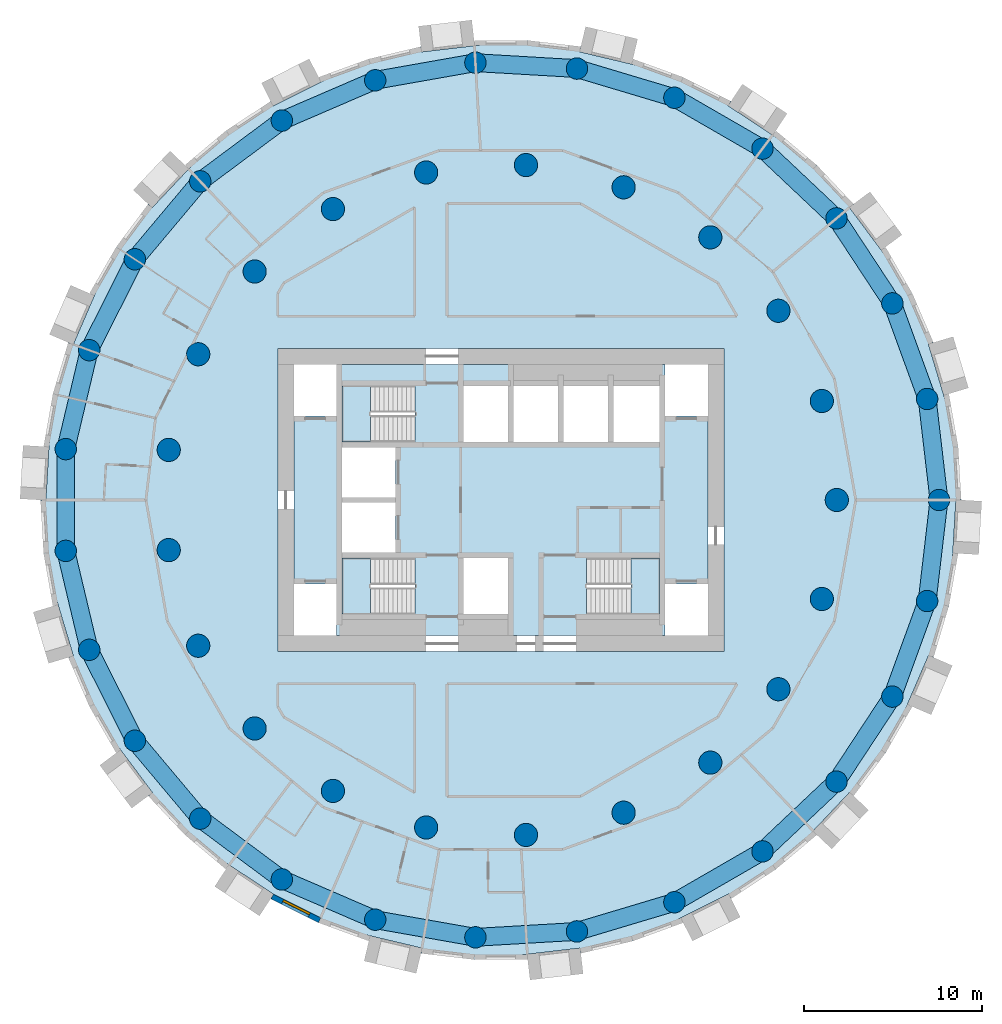
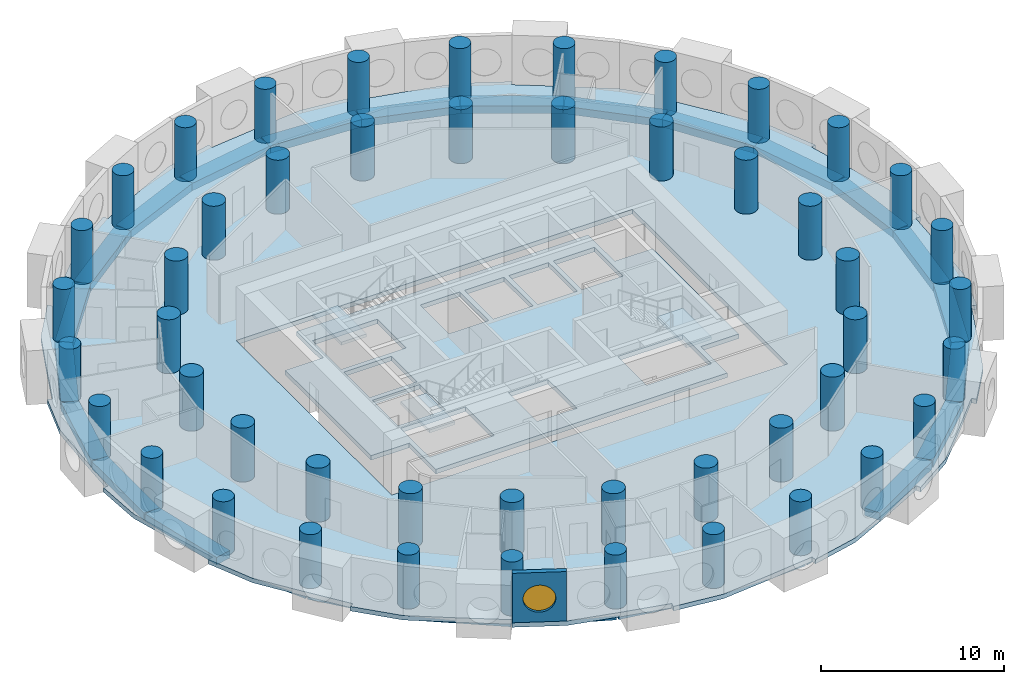
# One storey, part 1 of 9: 48 columns, 27 beams, 5 slabs, 1 wall, 1 window, 1 opening, 3 elements without a shape of their own.
"""IFC4 building model written with IfcOpenShell, lengths in metres."""

from ifc_helpers import new_model, si_unit, direction, frame, frame_2d, origin, origin_2d, place, context, subcontext, project, spatial, polyline, rectangle, circle, outline, extrude, material, layer, layer_set, material_profile, profile_set, type_object, element, fill, aggregate, save


model = new_model("IFC4")

# Units and contexts
model_context = context("Model", 3, precision=1e-05, world=origin(), true_north=direction((0.0, 1.0)))
body_context = subcontext(model_context, "Body", "Model", "MODEL_VIEW")
ifc_project = project(units=[si_unit("LENGTHUNIT", "METRE"), si_unit("AREAUNIT", "SQUARE_METRE"), si_unit("VOLUMEUNIT", "CUBIC_METRE"), si_unit("PLANEANGLEUNIT", "RADIAN"), si_unit("MASSUNIT", "GRAM", prefix="KILO")], contexts=[model_context])

# Site, building, storey
site_placement = place(None, origin())
site = spatial("IfcSite", under=ifc_project, at=site_placement, CompositionType="ELEMENT")
building_placement = place(site_placement, origin())
building = spatial("IfcBuilding", under=site, at=building_placement, Name="Tracery Tower", CompositionType="ELEMENT")
storey_placement = place(building_placement, frame((0.0, 0.0, 187.199951171875)))
storey = spatial("IfcBuildingStorey", under=building, at=storey_placement, Name="L48", CompositionType="ELEMENT", Elevation=187.199951171875)

# Columns
ifc_material_1 = material(Name="Concrete C50/60", Category="concrete")
ifc_material_profile_1 = material_profile(ifc_material_1, circle(Radius=0.60009765625, at=origin_2d()), Name="RC D1200")
ifc_profile_set_1 = profile_set([ifc_material_profile_1], Name="Concrete C50/60")
column_type_1 = type_object("IfcColumnType", Name="Ring 1 column 1200", PredefinedType="COLUMN", material=ifc_profile_set_1)
for number, where, z_axis, x_axis, name in (
    (1, (24.547607421875, 0.0, 0.0), (0.0, 0.0, 1.0), (1.0, 0.0, 0.0), "Ring 1 column 00 at L48"),
    (2, (23.885986328125, 5.6611328125, 0.0), (0.0, 0.0, 1.0), (1.0, 0.0, 0.0), "Ring 1 column 01 at L48"),
    (3, (21.9365234375, 11.01708984375, 0.0), (0.0, 0.0, 1.0), (1.0, 0.0, 0.0), "Ring 1 column 02 at L48"),
    (4, (18.8046875, 15.779052734375, 0.0), (0.0, 0.0, 1.0), (1.0, 0.0, 0.0), "Ring 1 column 03 at L48"),
    (5, (14.658935546875, 19.690185546875, 0.0), (0.0, 0.0, 1.0), (1.0, 0.0, 0.0), "Ring 1 column 04 at L48"),
    (6, (9.722900390625, 22.5400390625, 0.0), (0.0, 0.0, 1.0), (1.0, 0.0, 0.0), "Ring 1 column 05 at L48"),
    (7, (4.2626953125, 24.1748046875, 0.0), (0.0, 0.0, 1.0), (1.0, 0.0, 0.0), "Ring 1 column 06 at L48"),
    (8, (-1.42724609375, 24.506103515625, 0.0), (0.0, 0.0, 1.0), (1.0, 0.0, 0.0), "Ring 1 column 07 at L48"),
    (9, (-7.040283203125, 23.516357421875, 0.0), (0.0, 0.0, 1.0), (1.0, 0.0, 0.0), "Ring 1 column 08 at L48"),
    (10, (-12.273681640625, 21.2587890625, 0.0), (0.0, 0.0, 1.0), (1.0, 0.0, 0.0), "Ring 1 column 09 at L48"),
    (11, (-16.845703125, 17.855224609375, 0.0), (0.0, 0.0, 1.0), (1.0, 0.0, 0.0), "Ring 1 column 10 at L48"),
    (12, (-20.50927734375, 13.4892578125, 0.0), (0.0, 0.0, 1.0), (1.0, 0.0, 0.0), "Ring 1 column 11 at L48"),
    (13, (-23.0673828125, 8.395751953125, 0.0), (0.0, 0.0, 1.0), (1.0, 0.0, 0.0), "Ring 1 column 12 at L48"),
    (14, (-24.381591796875, 2.849853515625, 0.0), (0.0, 0.0, 1.0), (1.0, 0.0, 0.0), "Ring 1 column 13 at L48"),
    (15, (-24.381591796875, -2.849853515625, 0.0), (0.0, 0.0, 1.0), (1.0, 0.0, 0.0), "Ring 1 column 14 at L48"),
    (16, (-23.0673828125, -8.395751953125, 0.0), (0.0, 0.0, 1.0), (1.0, 0.0, 0.0), "Ring 1 column 15 at L48"),
    (17, (-20.50927734375, -13.4892578125, 0.0), (0.0, 0.0, 1.0), (1.0, 0.0, 0.0), "Ring 1 column 16 at L48"),
    (18, (-16.845703125, -17.85546875, 0.0), (0.0, 0.0, 1.0), (1.0, 0.0, 0.0), "Ring 1 column 17 at L48"),
    (19, (-12.27392578125, -21.2587890625, 0.0), (0.0, 0.0, 1.0), (1.0, 0.0, 0.0), "Ring 1 column 18 at L48"),
    (20, (-7.040283203125, -23.516357421875, 0.0), (0.0, 0.0, 1.0), (1.0, 0.0, 0.0), "Ring 1 column 19 at L48"),
    (21, (-1.42724609375, -24.506103515625, 0.0), (0.0, 0.0, 1.0), (1.0, 0.0, 0.0), "Ring 1 column 20 at L48"),
    (22, (4.2626953125, -24.1748046875, 0.0), (0.0, 0.0, 1.0), (1.0, 0.0, 0.0), "Ring 1 column 21 at L48"),
    (23, (9.722900390625, -22.5400390625, 0.0), (0.0, 0.0, 1.0), (1.0, 0.0, 0.0), "Ring 1 column 22 at L48"),
    (24, (14.658935546875, -19.690185546875, 0.0), (0.0, 0.0, 1.0), (1.0, 0.0, 0.0), "Ring 1 column 23 at L48"),
    (25, (18.8046875, -15.779052734375, 0.0), (0.0, 0.0, 1.0), (1.0, 0.0, 0.0), "Ring 1 column 24 at L48"),
    (26, (21.9365234375, -11.01708984375, 0.0), (0.0, 0.0, 1.0), (1.0, 0.0, 0.0), "Ring 1 column 25 at L48"),
    (27, (23.885986328125, -5.6611328125, 0.0), (0.0, 0.0, 1.0), (1.0, 0.0, 0.0), "Ring 1 column 26 at L48"),
):
    element("IfcColumn", number, at=place(storey_placement, frame(where, z_axis=z_axis, x_axis=x_axis)), inside=storey, type_object=column_type_1, Name=name, PredefinedType="COLUMN", context=body_context, shape_type="SweptSolid", body=[
        extrude(circle(Radius=0.60009765625, at=origin_2d()), origin(), (0.0, 0.0, 1.0), 3.60009765625),
    ])
ifc_material_2 = material(Name="Concrete C50/60", Category="concrete")
ifc_material_profile_2 = material_profile(ifc_material_2, circle(Radius=0.64990234375, at=origin_2d()), Name="RC D1300")
ifc_profile_set_2 = profile_set([ifc_material_profile_2], Name="Concrete C50/60")
column_type_2 = type_object("IfcColumnType", Name="Ring 2 column 1300", PredefinedType="COLUMN", material=ifc_profile_set_2)
for number, where, z_axis, x_axis, name in (
    (28, (18.822265625, 0.0, 0.0), (0.0, 0.0, 1.0), (1.0, 0.0, 0.0), "Ring 2 column 00 at L48"),
    (29, (17.986083984375, 5.5478515625, 0.0), (0.0, 0.0, 1.0), (1.0, 0.0, 0.0), "Ring 2 column 01 at L48"),
    (30, (15.551513671875, 10.602783203125, 0.0), (0.0, 0.0, 1.0), (1.0, 0.0, 0.0), "Ring 2 column 02 at L48"),
    (31, (11.7353515625, 14.7158203125, 0.0), (0.0, 0.0, 1.0), (1.0, 0.0, 0.0), "Ring 2 column 03 at L48"),
    (32, (6.87646484375, 17.52099609375, 0.0), (0.0, 0.0, 1.0), (1.0, 0.0, 0.0), "Ring 2 column 04 at L48"),
    (33, (1.406494140625, 18.76953125, 0.0), (0.0, 0.0, 1.0), (1.0, 0.0, 0.0), "Ring 2 column 05 at L48"),
    (34, (-4.188232421875, 18.350341796875, 0.0), (0.0, 0.0, 1.0), (1.0, 0.0, 0.0), "Ring 2 column 06 at L48"),
    (35, (-9.4111328125, 16.300537109375, 0.0), (0.0, 0.0, 1.0), (1.0, 0.0, 0.0), "Ring 2 column 07 at L48"),
    (36, (-13.797607421875, 12.802490234375, 0.0), (0.0, 0.0, 1.0), (1.0, 0.0, 0.0), "Ring 2 column 08 at L48"),
    (37, (-16.958251953125, 8.16650390625, 0.0), (0.0, 0.0, 1.0), (1.0, 0.0, 0.0), "Ring 2 column 09 at L48"),
    (38, (-18.612060546875, 2.805419921875, 0.0), (0.0, 0.0, 1.0), (1.0, 0.0, 0.0), "Ring 2 column 10 at L48"),
    (39, (-18.612060546875, -2.805419921875, 0.0), (0.0, 0.0, 1.0), (1.0, 0.0, 0.0), "Ring 2 column 11 at L48"),
    (40, (-16.958251953125, -8.166748046875, 0.0), (0.0, 0.0, 1.0), (1.0, 0.0, 0.0), "Ring 2 column 12 at L48"),
    (41, (-13.797607421875, -12.80224609375, 0.0), (0.0, 0.0, 1.0), (1.0, 0.0, 0.0), "Ring 2 column 13 at L48"),
    (42, (-9.4111328125, -16.300537109375, 0.0), (0.0, 0.0, 1.0), (1.0, 0.0, 0.0), "Ring 2 column 14 at L48"),
    (43, (-4.188232421875, -18.350341796875, 0.0), (0.0, 0.0, 1.0), (1.0, 0.0, 0.0), "Ring 2 column 15 at L48"),
    (44, (1.406494140625, -18.76953125, 0.0), (0.0, 0.0, 1.0), (1.0, 0.0, 0.0), "Ring 2 column 16 at L48"),
    (45, (6.87646484375, -17.52099609375, 0.0), (0.0, 0.0, 1.0), (1.0, 0.0, 0.0), "Ring 2 column 17 at L48"),
    (46, (11.7353515625, -14.7158203125, 0.0), (0.0, 0.0, 1.0), (1.0, 0.0, 0.0), "Ring 2 column 18 at L48"),
    (47, (15.551513671875, -10.602783203125, 0.0), (0.0, 0.0, 1.0), (1.0, 0.0, 0.0), "Ring 2 column 19 at L48"),
    (48, (17.986083984375, -5.5478515625, 0.0), (0.0, 0.0, 1.0), (1.0, 0.0, 0.0), "Ring 2 column 20 at L48"),
):
    element("IfcColumn", number, at=place(storey_placement, frame(where, z_axis=z_axis, x_axis=x_axis)), inside=storey, type_object=column_type_2, Name=name, PredefinedType="COLUMN", context=body_context, shape_type="SweptSolid", body=[
        extrude(circle(Radius=0.64990234375, at=origin_2d()), origin(), (0.0, 0.0, 1.0), 3.60009765625),
    ])

# Beams
ifc_material_3 = material(Name="Concrete C50/60", Category="concrete")
ifc_material_profile_3 = material_profile(ifc_material_3, rectangle(XDim=1.0, YDim=0.5, at=origin_2d()), Name="RC 1000x500")
ifc_profile_set_3 = profile_set([ifc_material_profile_3], Name="Concrete C50/60")
beam_type = type_object("IfcBeamType", Name="Perimeter band beam 1000x500", PredefinedType="BEAM", material=ifc_profile_set_3)
for number, where, z_axis, x_axis, name in (
    (49, (24.547607421875, 0.0, -0.550048828125), (-0.116080723252, 0.993239782575, 0.0), (-0.993239782575, -0.116080723252, 0.0), "Perimeter beam 1.00 under L48"),
    (50, (23.885986328125, 5.6611328125, -0.550048828125), (-0.342028502279, 0.939689578334, 0.0), (-0.939689578334, -0.342028502279, 0.0), "Perimeter beam 1.01 under L48"),
):
    element("IfcBeam", number, at=place(storey_placement, frame(where, z_axis=z_axis, x_axis=x_axis)), inside=storey, type_object=beam_type, Name=name, PredefinedType="BEAM", context=body_context, shape_type="SweptSolid", body=[
        extrude(rectangle(XDim=1.0, YDim=0.5, at=origin_2d()), origin(), (0.0, 0.0, 1.0), 5.69970703125),
    ])
for number, where, z_axis, x_axis, name in (
    (51, (21.9365234375, 11.01708984375, -0.550048828125), (-0.549489832182, 0.835500403548, 0.0), (-0.835500403548, -0.549489832182, 0.0), "Perimeter beam 1.02 under L48"),
    (52, (18.8046875, 15.779052734375, -0.550048828125), (-0.727389618263, 0.686224703172, 0.0), (-0.686224703172, -0.727389618263, 0.0), "Perimeter beam 1.03 under L48"),
):
    element("IfcBeam", number, at=place(storey_placement, frame(where, z_axis=z_axis, x_axis=x_axis)), inside=storey, type_object=beam_type, Name=name, PredefinedType="BEAM", context=body_context, shape_type="SweptSolid", body=[
        extrude(rectangle(XDim=1.0, YDim=0.5, at=origin_2d()), origin(), (0.0, 0.0, 1.0), 5.699462890625),
    ])
for number, where, z_axis, x_axis, name in (
    (53, (14.658935546875, 19.690185546875, -0.550048828125), (-0.866022950691, 0.500004248858, 0.0), (-0.500004248858, -0.866022950691, 0.0), "Perimeter beam 1.04 under L48"),
    (54, (9.722900390625, 22.5400390625, -0.550048828125), (-0.957985292634, 0.28681732705, 0.0), (-0.28681732705, -0.957985292634, 0.0), "Perimeter beam 1.05 under L48"),
):
    element("IfcBeam", number, at=place(storey_placement, frame(where, z_axis=z_axis, x_axis=x_axis)), inside=storey, type_object=beam_type, Name=name, PredefinedType="BEAM", context=body_context, shape_type="SweptSolid", body=[
        extrude(rectangle(XDim=1.0, YDim=0.5, at=origin_2d()), origin(), (0.0, 0.0, 1.0), 5.69970703125),
    ])
beam_1_placement = place(storey_placement, frame((4.2626953125, 24.1748046875, -0.550048828125), z_axis=(-0.99830920221, 0.058126902403, 0.0), x_axis=(-0.058126902403, -0.99830920221, 0.0)))
element("IfcBeam", 55, at=beam_1_placement, inside=storey, type_object=beam_type, Name="Perimeter beam 1.06 under L48", PredefinedType="BEAM", context=body_context, shape_type="SweptSolid", body=[
    extrude(rectangle(XDim=1.0, YDim=0.5, at=origin_2d()), origin(), (0.0, 0.0, 1.0), 5.699462890625),
])
beam_2_placement = place(storey_placement, frame((-1.42724609375, 24.506103515625, -0.550048828125), z_axis=(-0.984807266719, -0.173650935552, 0.0), x_axis=(0.173650935552, -0.984807266719, 0.0)))
element("IfcBeam", 56, at=beam_2_placement, inside=storey, type_object=beam_type, Name="Perimeter beam 1.07 under L48", PredefinedType="BEAM", context=body_context, shape_type="SweptSolid", body=[
    extrude(rectangle(XDim=1.0, YDim=0.5, at=origin_2d()), origin(), (0.0, 0.0, 1.0), 5.69970703125),
])
beam_3_placement = place(storey_placement, frame((-7.040283203125, 23.516357421875, -0.550048828125), z_axis=(-0.918209685525, -0.396094652083, 0.0), x_axis=(0.396094652083, -0.918209685525, 0.0)))
element("IfcBeam", 57, at=beam_3_placement, inside=storey, type_object=beam_type, Name="Perimeter beam 1.08 under L48", PredefinedType="BEAM", context=body_context, shape_type="SweptSolid", body=[
    extrude(rectangle(XDim=1.0, YDim=0.5, at=origin_2d()), origin(), (0.0, 0.0, 1.0), 5.699462890625),
])
beam_4_placement = place(storey_placement, frame((-12.273681640625, 21.2587890625, -0.550048828125), z_axis=(-0.802138271299, -0.59713833717, 0.0), x_axis=(0.59713833717, -0.802138271299, 0.0)))
element("IfcBeam", 58, at=beam_4_placement, inside=storey, type_object=beam_type, Name="Perimeter beam 1.09 under L48", PredefinedType="BEAM", context=body_context, shape_type="SweptSolid", body=[
    extrude(rectangle(XDim=1.0, YDim=0.5, at=origin_2d()), origin(), (0.0, 0.0, 1.0), 5.69970703125),
])
beam_5_placement = place(storey_placement, frame((-16.845703125, 17.855224609375, -0.550048828125), z_axis=(-0.642797194343, -0.766036400535, 0.0), x_axis=(0.766036400535, -0.642797194343, 0.0)))
element("IfcBeam", 59, at=beam_5_placement, inside=storey, type_object=beam_type, Name="Perimeter beam 1.10 under L48", PredefinedType="BEAM", context=body_context, shape_type="SweptSolid", body=[
    extrude(rectangle(XDim=1.0, YDim=0.5, at=origin_2d()), origin(), (0.0, 0.0, 1.0), 5.699462890625),
])
beam_6_placement = place(storey_placement, frame((-20.50927734375, 13.4892578125, -0.550048828125), z_axis=(-0.448806280933, -0.893629074166, 0.0), x_axis=(0.893629074166, -0.448806280933, 0.0)))
element("IfcBeam", 60, at=beam_6_placement, inside=storey, type_object=beam_type, Name="Perimeter beam 1.11 under L48", PredefinedType="BEAM", context=body_context, shape_type="SweptSolid", body=[
    extrude(rectangle(XDim=1.0, YDim=0.5, at=origin_2d()), origin(), (0.0, 0.0, 1.0), 5.69970703125),
])
beam_7_placement = place(storey_placement, frame((-23.0673828125, 8.395751953125, -0.550048828125), z_axis=(-0.230583793756, -0.973052472407, 0.0), x_axis=(0.973052472407, -0.230583793756, 0.0)))
element("IfcBeam", 61, at=beam_7_placement, inside=storey, type_object=beam_type, Name="Perimeter beam 1.12 under L48", PredefinedType="BEAM", context=body_context, shape_type="SweptSolid", body=[
    extrude(rectangle(XDim=1.0, YDim=0.5, at=origin_2d()), origin(), (0.0, 0.0, 1.0), 5.699462890625),
])
beam_8_placement = place(storey_placement, frame((-24.381591796875, 2.849853515625, -0.550048828125), z_axis=(0.0, -1.0, 0.0), x_axis=(1.0, 0.0, 0.0)))
element("IfcBeam", 62, at=beam_8_placement, inside=storey, type_object=beam_type, Name="Perimeter beam 1.13 under L48", PredefinedType="BEAM", context=body_context, shape_type="SweptSolid", body=[
    extrude(rectangle(XDim=1.0, YDim=0.5, at=origin_2d()), origin(), (0.0, 0.0, 1.0), 5.69970703125),
])
beam_9_placement = place(storey_placement, frame((-24.381591796875, -2.849853515625, -0.550048828125), z_axis=(0.230583793756, -0.973052472407, 0.0), x_axis=(0.973052472407, 0.230583793756, 0.0)))
element("IfcBeam", 63, at=beam_9_placement, inside=storey, type_object=beam_type, Name="Perimeter beam 1.14 under L48", PredefinedType="BEAM", context=body_context, shape_type="SweptSolid", body=[
    extrude(rectangle(XDim=1.0, YDim=0.5, at=origin_2d()), origin(), (0.0, 0.0, 1.0), 5.699462890625),
])
for number, where, z_axis, x_axis, name in (
    (64, (-23.0673828125, -8.395751953125, -0.550048828125), (0.448806280933, -0.893629074166, 0.0), (0.893629074166, 0.448806280933, 0.0), "Perimeter beam 1.15 under L48"),
    (65, (-20.50927734375, -13.4892578125, -0.550048828125), (0.64277610208, -0.766054099, 0.0), (0.766054099, 0.64277610208, 0.0), "Perimeter beam 1.16 under L48"),
):
    element("IfcBeam", number, at=place(storey_placement, frame(where, z_axis=z_axis, x_axis=x_axis)), inside=storey, type_object=beam_type, Name=name, PredefinedType="BEAM", context=body_context, shape_type="SweptSolid", body=[
        extrude(rectangle(XDim=1.0, YDim=0.5, at=origin_2d()), origin(), (0.0, 0.0, 1.0), 5.69970703125),
    ])
beam_10_placement = place(storey_placement, frame((-16.845703125, -17.85546875, -0.550048828125), z_axis=(0.802143514942, -0.597131293298, 0.0), x_axis=(0.597131293298, 0.802143514942, 0.0)))
element("IfcBeam", 66, at=beam_10_placement, inside=storey, type_object=beam_type, Name="Perimeter beam 1.17 under L48", PredefinedType="BEAM", context=body_context, shape_type="SweptSolid", body=[
    extrude(rectangle(XDim=1.0, YDim=0.5, at=origin_2d()), origin(), (0.0, 0.0, 1.0), 5.699462890625),
])
for number, where, z_axis, x_axis, name in (
    (67, (-12.27392578125, -21.2587890625, -0.550048828125), (0.918216405543, -0.39607907366, 0.0), (0.39607907366, 0.918216405543, 0.0), "Perimeter beam 1.18 under L48"),
    (68, (-7.040283203125, -23.516357421875, -0.550048828125), (0.984807266719, -0.173650935552, 0.0), (0.173650935552, 0.984807266719, 0.0), "Perimeter beam 1.19 under L48"),
):
    element("IfcBeam", number, at=place(storey_placement, frame(where, z_axis=z_axis, x_axis=x_axis)), inside=storey, type_object=beam_type, Name=name, PredefinedType="BEAM", context=body_context, shape_type="SweptSolid", body=[
        extrude(rectangle(XDim=1.0, YDim=0.5, at=origin_2d()), origin(), (0.0, 0.0, 1.0), 5.69970703125),
    ])
beam_11_placement = place(storey_placement, frame((-1.42724609375, -24.506103515625, -0.550048828125), z_axis=(0.99830920221, 0.058126902403, 0.0), x_axis=(-0.058126902403, 0.99830920221, 0.0)))
element("IfcBeam", 69, at=beam_11_placement, inside=storey, type_object=beam_type, Name="Perimeter beam 1.20 under L48", PredefinedType="BEAM", context=body_context, shape_type="SweptSolid", body=[
    extrude(rectangle(XDim=1.0, YDim=0.5, at=origin_2d()), origin(), (0.0, 0.0, 1.0), 5.699462890625),
])
for number, where, z_axis, x_axis, name in (
    (70, (4.2626953125, -24.1748046875, -0.550048828125), (0.957985292634, 0.28681732705, 0.0), (-0.28681732705, 0.957985292634, 0.0), "Perimeter beam 1.21 under L48"),
    (71, (9.722900390625, -22.5400390625, -0.550048828125), (0.866022950691, 0.500004248858, 0.0), (-0.500004248858, 0.866022950691, 0.0), "Perimeter beam 1.22 under L48"),
):
    element("IfcBeam", number, at=place(storey_placement, frame(where, z_axis=z_axis, x_axis=x_axis)), inside=storey, type_object=beam_type, Name=name, PredefinedType="BEAM", context=body_context, shape_type="SweptSolid", body=[
        extrude(rectangle(XDim=1.0, YDim=0.5, at=origin_2d()), origin(), (0.0, 0.0, 1.0), 5.69970703125),
    ])
for number, where, z_axis, x_axis, name in (
    (72, (14.658935546875, -19.690185546875, -0.550048828125), (0.727389618263, 0.686224703172, 0.0), (-0.686224703172, 0.727389618263, 0.0), "Perimeter beam 1.23 under L48"),
    (73, (18.8046875, -15.779052734375, -0.550048828125), (0.549489832182, 0.835500403548, 0.0), (-0.835500403548, 0.549489832182, 0.0), "Perimeter beam 1.24 under L48"),
):
    element("IfcBeam", number, at=place(storey_placement, frame(where, z_axis=z_axis, x_axis=x_axis)), inside=storey, type_object=beam_type, Name=name, PredefinedType="BEAM", context=body_context, shape_type="SweptSolid", body=[
        extrude(rectangle(XDim=1.0, YDim=0.5, at=origin_2d()), origin(), (0.0, 0.0, 1.0), 5.699462890625),
    ])
for number, where, z_axis, x_axis, name in (
    (74, (21.9365234375, -11.01708984375, -0.550048828125), (0.342028502279, 0.939689578334, 0.0), (-0.939689578334, 0.342028502279, 0.0), "Perimeter beam 1.25 under L48"),
    (75, (23.885986328125, -5.6611328125, -0.550048828125), (0.116080723252, 0.993239782575, 0.0), (-0.993239782575, 0.116080723252, 0.0), "Perimeter beam 1.26 under L48"),
):
    element("IfcBeam", number, at=place(storey_placement, frame(where, z_axis=z_axis, x_axis=x_axis)), inside=storey, type_object=beam_type, Name=name, PredefinedType="BEAM", context=body_context, shape_type="SweptSolid", body=[
        extrude(rectangle(XDim=1.0, YDim=0.5, at=origin_2d()), origin(), (0.0, 0.0, 1.0), 5.69970703125),
    ])

# Slabs
ifc_material_4 = material(Name="Concrete C50/60", Category="concrete")
ifc_layer_1 = layer(ifc_material_4, 0.300048828125)
ifc_layer_set_1 = layer_set([ifc_layer_1], Name="Core floor slab 300 C50")
slab_type_1 = type_object("IfcSlabType", Name="Core floor slab 300 C50", PredefinedType="FLOOR", material=ifc_layer_set_1)
slab_1_placement = place(storey_placement, frame((0.0, 0.0, -0.300048828125)))
element("IfcSlab", 76, at=slab_1_placement, inside=storey, type_object=slab_type_1, Name="L48 core floor 1", PredefinedType="FLOOR", context=body_context, shape_type="SweptSolid", body=[
    extrude(outline(polyline([(-9.199951171875, 7.60009765625), (9.199951171875, 7.60009765625), (9.199951171875, 4.699951171875), (11.60009765625, 4.699951171875), (11.60009765625, -4.699951171875), (9.199951171875, -4.699951171875), (9.199951171875, -7.60009765625), (-9.199951171875, -7.60009765625), (-9.199951171875, -4.699951171875), (-11.60009765625, -4.699951171875), (-11.60009765625, 4.699951171875), (-9.199951171875, 4.699951171875), (-9.199951171875, 7.60009765625)]), holes=[polyline([(4.800537109375, -6.39990234375), (8.89990234375, -6.39990234375), (8.89990234375, -3.25), (4.800537109375, -3.25), (4.800537109375, -6.39990234375)]), polyline([(8.89990234375, 3.25), (8.89990234375, 6.39990234375), (6.300048828125, 6.39990234375), (6.300048828125, 3.25), (8.89990234375, 3.25)]), polyline([(6.0, 3.25), (6.0, 6.39990234375), (3.5, 6.39990234375), (3.5, 3.25), (6.0, 3.25)]), polyline([(3.199951171875, 3.25), (3.199951171875, 6.39990234375), (0.699951171875, 6.39990234375), (0.699951171875, 3.25), (3.199951171875, 3.25)]), polyline([(-2.10009765625, 3.25), (0.39990234375, 3.25), (0.39990234375, 6.39990234375), (-2.10009765625, 6.39990234375), (-2.10009765625, 3.25)]), polyline([(0.39990234375, -6.39990234375), (0.39990234375, -3.25), (-2.10009765625, -3.25), (-2.10009765625, -6.39990234375), (0.39990234375, -6.39990234375)]), polyline([(-4.800537109375, -3.25), (-8.89990234375, -3.25), (-8.89990234375, -6.39990234375), (-4.800537109375, -6.39990234375), (-4.800537109375, -3.25)]), polyline([(-4.800537109375, 6.39990234375), (-8.89990234375, 6.39990234375), (-8.89990234375, 3.25), (-4.800537109375, 3.25), (-4.800537109375, 6.39990234375)]), polyline([(-5.89990234375, -2.949951171875), (-5.89990234375, -0.14990234375), (-8.89990234375, -0.14990234375), (-8.89990234375, -2.949951171875), (-5.89990234375, -2.949951171875)]), polyline([(-5.89990234375, 0.14990234375), (-5.89990234375, 2.949951171875), (-8.89990234375, 2.949951171875), (-8.89990234375, 0.14990234375), (-5.89990234375, 0.14990234375)])]), origin(), (0.0, 0.0, 1.0), 0.300048828125),
])
ifc_material_5 = material(Name="Concrete C40/50", Category="concrete")
ifc_layer_2 = layer(ifc_material_5, 0.300048828125)
ifc_layer_set_2 = layer_set([ifc_layer_2], Name="Floor slab 300")
slab_type_2 = type_object("IfcSlabType", Name="Floor slab 300", PredefinedType="FLOOR", material=ifc_layer_set_2)
slab_2_placement = place(storey_placement, frame((0.0, 0.0, -0.300048828125)))
element("IfcSlab", 77, at=slab_2_placement, inside=storey, type_object=slab_type_2, Name="Floor slab L48", PredefinedType="FLOOR", context=body_context, shape_type="SweptSolid", body=[
    extrude(outline(polyline([(24.809814453125, 5.8798828125), (24.694580078125, 6.265380859375), (23.95947265625, 8.720703125), (23.95947265625, 8.720703125), (23.95458984375, 8.7373046875), (24.241943359375, 8.8232421875), (23.0537109375, 11.577880859375), (21.302490234375, 14.010986328125), (20.657958984375, 14.876953125), (19.521484375, 16.4033203125), (19.76220703125, 16.58251953125), (17.70361328125, 18.7646484375), (15.227294921875, 20.450927734375), (13.4443359375, 21.623779296875), (12.74853515625, 22.081298828125), (12.74853515625, 22.081298828125), (12.73388671875, 22.0908203125), (12.89892578125, 22.341552734375), (10.218017578125, 23.68798828125), (7.312744140625, 24.426025390625), (4.427490234375, 25.10986328125), (4.427490234375, 25.10986328125), (4.410400390625, 25.114013671875), (4.4794921875, 25.4052734375), (4.479736328125, 25.40576171875), (1.5, 25.754150390625), (-1.47998046875, 25.454345703125), (-3.055908203125, 25.27001953125), (-4.427490234375, 25.10986328125), (-4.427490234375, 25.10986328125), (-4.44482421875, 25.10791015625), (-4.479736328125, 25.40576171875), (-7.39892578125, 24.7138671875), (-10.098876953125, 23.411865234375), (-12.74853515625, 22.081298828125), (-12.74853515625, 22.081298828125), (-12.76416015625, 22.073486328125), (-12.89892578125, 22.341552734375), (-15.4052734375, 20.69287109375), (-17.497314453125, 18.5458984375), (-18.208740234375, 17.791748046875), (-19.5439453125, 16.376708984375), (-19.76171875, 16.581787109375), (-19.76220703125, 16.58251953125), (-21.5537109375, 14.176025390625), (-22.78515625, 11.443115234375), (-23.95947265625, 8.720703125), (-23.95947265625, 8.720703125), (-23.96630859375, 8.70458984375), (-24.241455078125, 8.822998046875), (-24.241943359375, 8.8232421875), (-25.102294921875, 5.949462890625), (-25.32470703125, 2.96044921875), (-25.498291015625, -0.017333984375), (-25.797607421875, 0.0), (-25.797607421875, 0.0), (-25.623291015625, -2.994873046875), (-24.809814453125, -5.8798828125), (-24.694580078125, -6.265380859375), (-23.95947265625, -8.720703125), (-23.95947265625, -8.720703125), (-23.95458984375, -8.7373046875), (-24.241943359375, -8.8232421875), (-23.0537109375, -11.577880859375), (-21.302490234375, -14.010986328125), (-20.657958984375, -14.876953125), (-19.521484375, -16.4033203125), (-19.76220703125, -16.58251953125), (-17.70361328125, -18.7646484375), (-15.227294921875, -20.450927734375), (-13.4443359375, -21.623779296875), (-12.74853515625, -22.081298828125), (-12.74853515625, -22.081298828125), (-12.73388671875, -22.0908203125), (-12.89892578125, -22.341552734375), (-10.218017578125, -23.68798828125), (-7.312744140625, -24.426025390625), (-4.427490234375, -25.10986328125), (-4.427490234375, -25.10986328125), (-4.410400390625, -25.114013671875), (-4.4794921875, -25.4052734375), (-4.479736328125, -25.40576171875), (-1.5, -25.754150390625), (1.47998046875, -25.454345703125), (3.055908203125, -25.27001953125), (4.427490234375, -25.10986328125), (4.427490234375, -25.10986328125), (4.44482421875, -25.10791015625), (4.479736328125, -25.40576171875), (7.39892578125, -24.7138671875), (10.098876953125, -23.411865234375), (12.74853515625, -22.081298828125), (12.74853515625, -22.081298828125), (12.76416015625, -22.073486328125), (12.898681640625, -22.341064453125), (12.89892578125, -22.341552734375), (15.4052734375, -20.69287109375), (17.497314453125, -18.5458984375), (18.208740234375, -17.791748046875), (19.5439453125, -16.376708984375), (19.76171875, -16.581787109375), (19.76220703125, -16.58251953125), (21.5537109375, -14.176025390625), (22.78515625, -11.443115234375), (23.95947265625, -8.720703125), (23.95947265625, -8.720703125), (23.96630859375, -8.70458984375), (24.241455078125, -8.822998046875), (24.241943359375, -8.8232421875), (25.102294921875, -5.949462890625), (25.32470703125, -2.96044921875), (25.498291015625, 0.017333984375), (25.797607421875, 0.0), (25.623291015625, 2.994873046875), (24.809814453125, 5.8798828125)]), holes=[polyline([(-12.5, -8.5), (12.5, -8.5), (12.5, 8.5), (-12.5, 8.5), (-12.5, -8.5)])]), origin(), (0.0, 0.0, 1.0), 0.300048828125),
])

# Stair, slab
ifc_material_6 = material(Name="Concrete C32/40", Category="concrete")
stair_type = type_object("IfcStairType", Name="Core stair 22 risers", PredefinedType="HALF_TURN_STAIR", material=ifc_material_6)
stair_1_placement = place(storey_placement, origin())
stair_1 = element("IfcStair", 78, at=stair_1_placement, inside=storey, type_object=stair_type, Name="L48 stair ST1", PredefinedType="HALF_TURN_STAIR")
ifc_material_7 = material(Name="Concrete C32/40", Category="concrete")
ifc_layer_3 = layer(ifc_material_7, 0.199951171875)
ifc_layer_set_3 = layer_set([ifc_layer_3], Name="Stair landing slab 200")
slab_type_3 = type_object("IfcSlabType", Name="Stair landing slab 200", PredefinedType="LANDING", material=ifc_layer_set_3)
slab_3_placement = place(storey_placement, frame((0.0, 0.0, 1.60009765625)))
slab_3 = element("IfcSlab", 79, at=slab_3_placement, type_object=slab_type_3, Name="ST1 landing 1", PredefinedType="LANDING", context=body_context, shape_type="SweptSolid", body=[
    extrude(outline(polyline([(-7.29931640625, -3.25), (-8.89990234375, -3.25), (-8.89990234375, -6.39990234375), (-7.29931640625, -6.39990234375), (-7.29931640625, -3.25)])), origin(), (0.0, 0.0, 1.0), 0.199951171875),
])
aggregate(stair_1, [slab_3])

stair_2_placement = place(storey_placement, origin())
stair_2 = element("IfcStair", 80, at=stair_2_placement, inside=storey, type_object=stair_type, Name="L48 stair ST3", PredefinedType="HALF_TURN_STAIR")
slab_4_placement = place(storey_placement, frame((0.0, 0.0, 1.60009765625)))
slab_4 = element("IfcSlab", 81, at=slab_4_placement, type_object=slab_type_3, Name="ST3 landing 1", PredefinedType="LANDING", context=body_context, shape_type="SweptSolid", body=[
    extrude(outline(polyline([(-7.29931640625, 6.39990234375), (-8.89990234375, 6.39990234375), (-8.89990234375, 3.25), (-7.29931640625, 3.25), (-7.29931640625, 6.39990234375)])), origin(), (0.0, 0.0, 1.0), 0.199951171875),
])
aggregate(stair_2, [slab_4])

stair_3_placement = place(storey_placement, origin())
stair_3 = element("IfcStair", 82, at=stair_3_placement, inside=storey, type_object=stair_type, Name="L48 stair ST2", PredefinedType="HALF_TURN_STAIR")
slab_5_placement = place(storey_placement, frame((0.0, 0.0, 1.60009765625)))
slab_5 = element("IfcSlab", 83, at=slab_5_placement, type_object=slab_type_3, Name="ST2 landing 1", PredefinedType="LANDING", context=body_context, shape_type="SweptSolid", body=[
    extrude(outline(polyline([(7.29931640625, -6.39990234375), (8.89990234375, -6.39990234375), (8.89990234375, -3.25), (7.29931640625, -3.25), (7.29931640625, -6.39990234375)])), origin(), (0.0, 0.0, 1.0), 0.199951171875),
])
aggregate(stair_3, [slab_5])

# Wall, opening, window
ifc_material_8 = material(Name="Precast concrete C50/60", Category="concrete")
ifc_layer_4 = layer(ifc_material_8, 0.300048828125)
ifc_layer_set_4 = layer_set([ifc_layer_4], Name="Facade panel 3000 x 3300")
wall_type = type_object("IfcWallType", Name="Facade panel 3000 x 3300", PredefinedType="SOLIDWALL", material=ifc_layer_set_4)
wall_placement = place(storey_placement, frame((-12.815185546875, -22.215576171875, 0.0), z_axis=(0.0, 0.0, 1.0), x_axis=(0.893637442555, -0.448789618045, 0.0)))
wall = element("IfcWall", 84, at=wall_placement, inside=storey, type_object=wall_type, Name="Facade panel 37 at L48", PredefinedType="SOLIDWALL", context=body_context, shape_type="SweptSolid", body=[
    extrude(rectangle(XDim=2.972900390625, YDim=0.300048828125, at=frame_2d((1.486328125, 0.0))), origin(), (0.0, 0.0, 1.0), 3.300048828125),
])
opening_placement = place(wall_placement, frame((1.486328125, 0.0, 1.5498046875)))
opening = element("IfcOpeningElement", 85, at=opening_placement, cuts=wall, Name="Opening WN1", PredefinedType="OPENING", context=body_context, shape_type="SweptSolid", body=[
    extrude(circle(Radius=0.9000244140625, at=origin_2d()), frame((0.0, 0.159912109375, 0.0), z_axis=(0.0, -1.0, 0.0), x_axis=(1.0, 0.0, 0.0)), (0.0, 0.0, 1.0), 0.320068359375),
])
ifc_material_9 = material(Name="Aluminium frame with tinted double glazing", Category="aluminium")
window_type = type_object("IfcWindowType", Name="Round window 1800", PartitioningType="SINGLE_PANEL", PredefinedType="WINDOW", material=ifc_material_9)
window_placement = place(opening_placement, origin())
window = element("IfcWindow", 86, at=window_placement, inside=storey, type_object=window_type, Name="Round window 37 at L48", OverallHeight=1.800048828125, OverallWidth=1.800048828125, PartitioningType="SINGLE_PANEL", PredefinedType="WINDOW", context=body_context, shape_type="SweptSolid", body=[
    extrude(circle(Radius=0.9000244140625, at=origin_2d()), frame((0.0, 0.1201171875, 0.0), z_axis=(0.0, -1.0, 0.0), x_axis=(1.0, 0.0, 0.0)), (0.0, 0.0, 1.0), 0.10009765625),
])
fill(opening, window)

save(model, "model.ifc")
